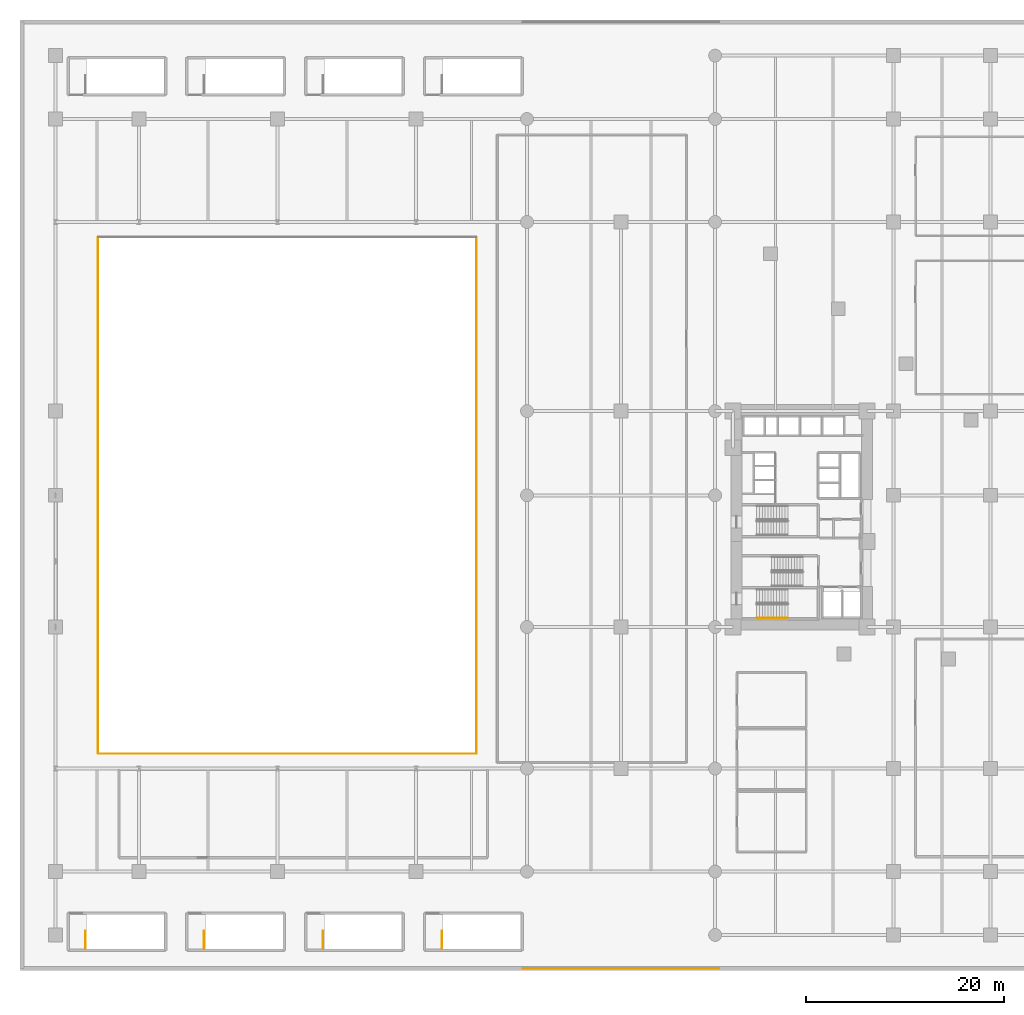
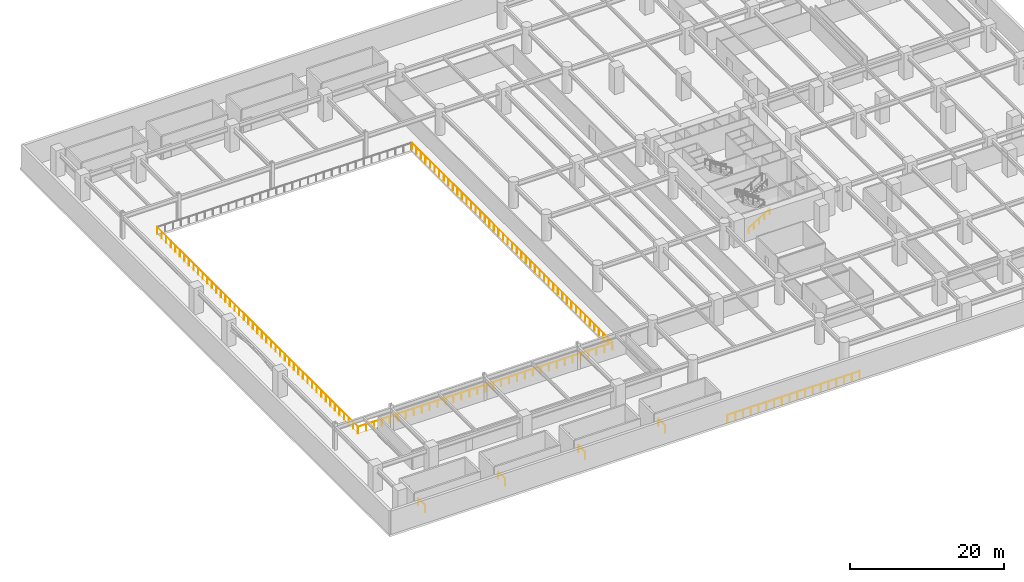
# One storey, part 18 of 20: 9 railings.
"""IFC4 building model written with IfcOpenShell, lengths in metres."""

from ifc_helpers import new_model, si_unit, direction, frame, origin, origin_2d, place, context, subcontext, project, spatial, circle, extrude, material, type_object, element, save


model = new_model("IFC4")

# Units and contexts
model_context = context("Model", 3, precision=1e-05, world=origin(), true_north=direction((0.0, 1.0)))
body_context = subcontext(model_context, "Body", "Model", "MODEL_VIEW")
ifc_project = project(units=[si_unit("LENGTHUNIT", "METRE"), si_unit("AREAUNIT", "SQUARE_METRE"), si_unit("VOLUMEUNIT", "CUBIC_METRE"), si_unit("PLANEANGLEUNIT", "RADIAN"), si_unit("MASSUNIT", "GRAM", prefix="KILO")], contexts=[model_context])

# Site, building, storey
site_placement = place(None, origin())
site = spatial("IfcSite", under=ifc_project, at=site_placement, CompositionType="ELEMENT")
building_placement = place(site_placement, origin())
building = spatial("IfcBuilding", under=site, at=building_placement, Name="Narakoshi Arena Tower", CompositionType="ELEMENT")
storey_placement = place(building_placement, frame((0.0, 0.0, 17.39990234375)))
storey = spatial("IfcBuildingStorey", under=building, at=storey_placement, Name="L04", CompositionType="ELEMENT", Elevation=17.39990234375)

# Railings
ifc_material_1 = material(Name="Clear low-iron laminated structural glass", Category="glass")
railing_type_1 = type_object("IfcRailingType", Name="RL-BAL-1100", PredefinedType="BALUSTRADE", material=ifc_material_1)
for number, where, name in (
    (1, (6.60009765625, 2.199951171875, 0.0), "L04 AST1 top well guard 1"),
    (2, (18.60009765625, 2.199951171875, 0.0), "L04 AST2 top well guard 1"),
    (3, (30.60009765625, 2.199951171875, 0.0), "L04 AST3 top well guard 1"),
    (4, (42.60009765625, 2.199951171875, 0.0), "L04 AST4 top well guard 1"),
):
    element("IfcRailing", number, at=place(storey_placement, frame(where)), inside=storey, type_object=railing_type_1, Name=name, PredefinedType="BALUSTRADE", context=body_context, shape_type="SweptSolid", body=[
        extrude(circle(Radius=0.02392578125, at=origin_2d()), frame((0.0, 0.0, 1.09619140625), z_axis=(0.0, 1.0, 0.0), x_axis=(-1.0, 0.0, 0.0)), (0.0, 0.0, 1.0), 1.800048828125),
        extrude(circle(Radius=0.02099609375, at=origin_2d()), origin(), (0.0, 0.0, 1.0), 1.072021484375),
        extrude(circle(Radius=0.02099609375, at=origin_2d()), frame((0.0, 1.800048828125, 0.0)), (0.0, 0.0, 1.0), 1.072021484375),
    ])
railing_1_placement = place(storey_placement, frame((7.93994140625, 21.89990234375, 0.0)))
element("IfcRailing", 5, at=railing_1_placement, inside=storey, type_object=railing_type_1, Name="L04 Arena Bowl Tier Balustrade 1", PredefinedType="BALUSTRADE", context=body_context, shape_type="SweptSolid", body=[
    extrude(circle(Radius=0.02392578125, at=origin_2d()), frame((0.0, 0.0, 1.09619140625), z_axis=(1.0, 0.0, 0.0), x_axis=(0.0, 1.0, 0.0)), (0.0, 0.0, 1.0), 38.1201171875),
    extrude(circle(Radius=0.02099609375, at=origin_2d()), origin(), (0.0, 0.0, 1.0), 1.072021484375),
    extrude(circle(Radius=0.02099609375, at=origin_2d()), frame((1.191162109375, 0.0, 0.0)), (0.0, 0.0, 1.0), 1.072021484375),
    extrude(circle(Radius=0.02099609375, at=origin_2d()), frame((2.382568359375, 0.0, 0.0)), (0.0, 0.0, 1.0), 1.072021484375),
    extrude(circle(Radius=0.02099609375, at=origin_2d()), frame((3.57373046875, 0.0, 0.0)), (0.0, 0.0, 1.0), 1.072021484375),
    extrude(circle(Radius=0.02099609375, at=origin_2d()), frame((4.76513671875, 0.0, 0.0)), (0.0, 0.0, 1.0), 1.072021484375),
    extrude(circle(Radius=0.02099609375, at=origin_2d()), frame((5.956298828125, 0.0, 0.0)), (0.0, 0.0, 1.0), 1.072021484375),
    extrude(circle(Radius=0.02099609375, at=origin_2d()), frame((7.1474609375, 0.0, 0.0)), (0.0, 0.0, 1.0), 1.072021484375),
    extrude(circle(Radius=0.02099609375, at=origin_2d()), frame((8.3388671875, 0.0, 0.0)), (0.0, 0.0, 1.0), 1.072021484375),
    extrude(circle(Radius=0.02099609375, at=origin_2d()), frame((9.530029296875, 0.0, 0.0)), (0.0, 0.0, 1.0), 1.072021484375),
    extrude(circle(Radius=0.02099609375, at=origin_2d()), frame((10.72119140625, 0.0, 0.0)), (0.0, 0.0, 1.0), 1.072021484375),
    extrude(circle(Radius=0.02099609375, at=origin_2d()), frame((11.91259765625, 0.0, 0.0)), (0.0, 0.0, 1.0), 1.072021484375),
    extrude(circle(Radius=0.02099609375, at=origin_2d()), frame((13.103759765625, 0.0, 0.0)), (0.0, 0.0, 1.0), 1.072021484375),
    extrude(circle(Radius=0.02099609375, at=origin_2d()), frame((14.294921875, 0.0, 0.0)), (0.0, 0.0, 1.0), 1.072021484375),
    extrude(circle(Radius=0.02099609375, at=origin_2d()), frame((15.486328125, 0.0, 0.0)), (0.0, 0.0, 1.0), 1.072021484375),
    extrude(circle(Radius=0.02099609375, at=origin_2d()), frame((16.677490234375, 0.0, 0.0)), (0.0, 0.0, 1.0), 1.072021484375),
    extrude(circle(Radius=0.02099609375, at=origin_2d()), frame((17.868896484375, 0.0, 0.0)), (0.0, 0.0, 1.0), 1.072021484375),
    extrude(circle(Radius=0.02099609375, at=origin_2d()), frame((19.06005859375, 0.0, 0.0)), (0.0, 0.0, 1.0), 1.072021484375),
    extrude(circle(Radius=0.02099609375, at=origin_2d()), frame((20.251220703125, 0.0, 0.0)), (0.0, 0.0, 1.0), 1.072021484375),
    extrude(circle(Radius=0.02099609375, at=origin_2d()), frame((21.442626953125, 0.0, 0.0)), (0.0, 0.0, 1.0), 1.072021484375),
    extrude(circle(Radius=0.02099609375, at=origin_2d()), frame((22.6337890625, 0.0, 0.0)), (0.0, 0.0, 1.0), 1.072021484375),
    extrude(circle(Radius=0.02099609375, at=origin_2d()), frame((23.8251953125, 0.0, 0.0)), (0.0, 0.0, 1.0), 1.072021484375),
    extrude(circle(Radius=0.02099609375, at=origin_2d()), frame((25.016357421875, 0.0, 0.0)), (0.0, 0.0, 1.0), 1.072021484375),
    extrude(circle(Radius=0.02099609375, at=origin_2d()), frame((26.20751953125, 0.0, 0.0)), (0.0, 0.0, 1.0), 1.072021484375),
    extrude(circle(Radius=0.02099609375, at=origin_2d()), frame((27.39892578125, 0.0, 0.0)), (0.0, 0.0, 1.0), 1.072021484375),
    extrude(circle(Radius=0.02099609375, at=origin_2d()), frame((28.590087890625, 0.0, 0.0)), (0.0, 0.0, 1.0), 1.072021484375),
    extrude(circle(Radius=0.02099609375, at=origin_2d()), frame((29.78125, 0.0, 0.0)), (0.0, 0.0, 1.0), 1.072021484375),
    extrude(circle(Radius=0.02099609375, at=origin_2d()), frame((30.97265625, 0.0, 0.0)), (0.0, 0.0, 1.0), 1.072021484375),
    extrude(circle(Radius=0.02099609375, at=origin_2d()), frame((32.163818359375, 0.0, 0.0)), (0.0, 0.0, 1.0), 1.072021484375),
    extrude(circle(Radius=0.02099609375, at=origin_2d()), frame((33.35498046875, 0.0, 0.0)), (0.0, 0.0, 1.0), 1.072021484375),
    extrude(circle(Radius=0.02099609375, at=origin_2d()), frame((34.54638671875, 0.0, 0.0)), (0.0, 0.0, 1.0), 1.072021484375),
    extrude(circle(Radius=0.02099609375, at=origin_2d()), frame((35.737548828125, 0.0, 0.0)), (0.0, 0.0, 1.0), 1.072021484375),
    extrude(circle(Radius=0.02099609375, at=origin_2d()), frame((36.928955078125, 0.0, 0.0)), (0.0, 0.0, 1.0), 1.072021484375),
    extrude(circle(Radius=0.02099609375, at=origin_2d()), frame((38.1201171875, 0.0, 0.0)), (0.0, 0.0, 1.0), 1.072021484375),
])
railing_2_placement = place(storey_placement, frame((46.10009765625, 21.93994140625, 0.0)))
element("IfcRailing", 6, at=railing_2_placement, inside=storey, type_object=railing_type_1, Name="L04 Arena Bowl Tier Balustrade 2", PredefinedType="BALUSTRADE", context=body_context, shape_type="SweptSolid", body=[
    extrude(circle(Radius=0.02392578125, at=origin_2d()), frame((0.0, 0.0, 1.09619140625), z_axis=(0.0, 1.0, 0.0), x_axis=(-1.0, 0.0, 0.0)), (0.0, 0.0, 1.0), 52.1201171875),
    extrude(circle(Radius=0.02099609375, at=origin_2d()), origin(), (0.0, 0.0, 1.0), 1.072021484375),
    extrude(circle(Radius=0.02099609375, at=origin_2d()), frame((0.0, 1.1845703125, 0.0)), (0.0, 0.0, 1.0), 1.072021484375),
    extrude(circle(Radius=0.02099609375, at=origin_2d()), frame((0.0, 2.369140625, 0.0)), (0.0, 0.0, 1.0), 1.072021484375),
    extrude(circle(Radius=0.02099609375, at=origin_2d()), frame((0.0, 3.5537109375, 0.0)), (0.0, 0.0, 1.0), 1.072021484375),
    extrude(circle(Radius=0.02099609375, at=origin_2d()), frame((0.0, 4.73828125, 0.0)), (0.0, 0.0, 1.0), 1.072021484375),
    extrude(circle(Radius=0.02099609375, at=origin_2d()), frame((0.0, 5.9228515625, 0.0)), (0.0, 0.0, 1.0), 1.072021484375),
    extrude(circle(Radius=0.02099609375, at=origin_2d()), frame((0.0, 7.107177734375, 0.0)), (0.0, 0.0, 1.0), 1.072021484375),
    extrude(circle(Radius=0.02099609375, at=origin_2d()), frame((0.0, 8.291748046875, 0.0)), (0.0, 0.0, 1.0), 1.072021484375),
    extrude(circle(Radius=0.02099609375, at=origin_2d()), frame((0.0, 9.476318359375, 0.0)), (0.0, 0.0, 1.0), 1.072021484375),
    extrude(circle(Radius=0.02099609375, at=origin_2d()), frame((0.0, 10.660888671875, 0.0)), (0.0, 0.0, 1.0), 1.072021484375),
    extrude(circle(Radius=0.02099609375, at=origin_2d()), frame((0.0, 11.845458984375, 0.0)), (0.0, 0.0, 1.0), 1.072021484375),
    extrude(circle(Radius=0.02099609375, at=origin_2d()), frame((0.0, 13.030029296875, 0.0)), (0.0, 0.0, 1.0), 1.072021484375),
    extrude(circle(Radius=0.02099609375, at=origin_2d()), frame((0.0, 14.214599609375, 0.0)), (0.0, 0.0, 1.0), 1.072021484375),
    extrude(circle(Radius=0.02099609375, at=origin_2d()), frame((0.0, 15.399169921875, 0.0)), (0.0, 0.0, 1.0), 1.072021484375),
    extrude(circle(Radius=0.02099609375, at=origin_2d()), frame((0.0, 16.583740234375, 0.0)), (0.0, 0.0, 1.0), 1.072021484375),
    extrude(circle(Radius=0.02099609375, at=origin_2d()), frame((0.0, 17.768310546875, 0.0)), (0.0, 0.0, 1.0), 1.072021484375),
    extrude(circle(Radius=0.02099609375, at=origin_2d()), frame((0.0, 18.952880859375, 0.0)), (0.0, 0.0, 1.0), 1.072021484375),
    extrude(circle(Radius=0.02099609375, at=origin_2d()), frame((0.0, 20.13720703125, 0.0)), (0.0, 0.0, 1.0), 1.072021484375),
    extrude(circle(Radius=0.02099609375, at=origin_2d()), frame((0.0, 21.32177734375, 0.0)), (0.0, 0.0, 1.0), 1.072021484375),
    extrude(circle(Radius=0.02099609375, at=origin_2d()), frame((0.0, 22.50634765625, 0.0)), (0.0, 0.0, 1.0), 1.072021484375),
    extrude(circle(Radius=0.02099609375, at=origin_2d()), frame((0.0, 23.69091796875, 0.0)), (0.0, 0.0, 1.0), 1.072021484375),
    extrude(circle(Radius=0.02099609375, at=origin_2d()), frame((0.0, 24.87548828125, 0.0)), (0.0, 0.0, 1.0), 1.072021484375),
    extrude(circle(Radius=0.02099609375, at=origin_2d()), frame((0.0, 26.06005859375, 0.0)), (0.0, 0.0, 1.0), 1.072021484375),
    extrude(circle(Radius=0.02099609375, at=origin_2d()), frame((0.0, 27.24462890625, 0.0)), (0.0, 0.0, 1.0), 1.072021484375),
    extrude(circle(Radius=0.02099609375, at=origin_2d()), frame((0.0, 28.42919921875, 0.0)), (0.0, 0.0, 1.0), 1.072021484375),
    extrude(circle(Radius=0.02099609375, at=origin_2d()), frame((0.0, 29.61376953125, 0.0)), (0.0, 0.0, 1.0), 1.072021484375),
    extrude(circle(Radius=0.02099609375, at=origin_2d()), frame((0.0, 30.79833984375, 0.0)), (0.0, 0.0, 1.0), 1.072021484375),
    extrude(circle(Radius=0.02099609375, at=origin_2d()), frame((0.0, 31.98291015625, 0.0)), (0.0, 0.0, 1.0), 1.072021484375),
    extrude(circle(Radius=0.02099609375, at=origin_2d()), frame((0.0, 33.167236328125, 0.0)), (0.0, 0.0, 1.0), 1.072021484375),
    extrude(circle(Radius=0.02099609375, at=origin_2d()), frame((0.0, 34.351806640625, 0.0)), (0.0, 0.0, 1.0), 1.072021484375),
    extrude(circle(Radius=0.02099609375, at=origin_2d()), frame((0.0, 35.536376953125, 0.0)), (0.0, 0.0, 1.0), 1.072021484375),
    extrude(circle(Radius=0.02099609375, at=origin_2d()), frame((0.0, 36.720947265625, 0.0)), (0.0, 0.0, 1.0), 1.072021484375),
    extrude(circle(Radius=0.02099609375, at=origin_2d()), frame((0.0, 37.905517578125, 0.0)), (0.0, 0.0, 1.0), 1.072021484375),
    extrude(circle(Radius=0.02099609375, at=origin_2d()), frame((0.0, 39.090087890625, 0.0)), (0.0, 0.0, 1.0), 1.072021484375),
    extrude(circle(Radius=0.02099609375, at=origin_2d()), frame((0.0, 40.274658203125, 0.0)), (0.0, 0.0, 1.0), 1.072021484375),
    extrude(circle(Radius=0.02099609375, at=origin_2d()), frame((0.0, 41.459228515625, 0.0)), (0.0, 0.0, 1.0), 1.072021484375),
    extrude(circle(Radius=0.02099609375, at=origin_2d()), frame((0.0, 42.643798828125, 0.0)), (0.0, 0.0, 1.0), 1.072021484375),
    extrude(circle(Radius=0.02099609375, at=origin_2d()), frame((0.0, 43.828369140625, 0.0)), (0.0, 0.0, 1.0), 1.072021484375),
    extrude(circle(Radius=0.02099609375, at=origin_2d()), frame((0.0, 45.012939453125, 0.0)), (0.0, 0.0, 1.0), 1.072021484375),
    extrude(circle(Radius=0.02099609375, at=origin_2d()), frame((0.0, 46.197265625, 0.0)), (0.0, 0.0, 1.0), 1.072021484375),
    extrude(circle(Radius=0.02099609375, at=origin_2d()), frame((0.0, 47.3818359375, 0.0)), (0.0, 0.0, 1.0), 1.072021484375),
    extrude(circle(Radius=0.02099609375, at=origin_2d()), frame((0.0, 48.56640625, 0.0)), (0.0, 0.0, 1.0), 1.072021484375),
    extrude(circle(Radius=0.02099609375, at=origin_2d()), frame((0.0, 49.7509765625, 0.0)), (0.0, 0.0, 1.0), 1.072021484375),
    extrude(circle(Radius=0.02099609375, at=origin_2d()), frame((0.0, 50.935546875, 0.0)), (0.0, 0.0, 1.0), 1.072021484375),
    extrude(circle(Radius=0.02099609375, at=origin_2d()), frame((0.0, 52.1201171875, 0.0)), (0.0, 0.0, 1.0), 1.072021484375),
])
railing_3_placement = place(storey_placement, frame((7.89990234375, 74.06005859375, 0.0)))
element("IfcRailing", 7, at=railing_3_placement, inside=storey, type_object=railing_type_1, Name="L04 Arena Bowl Tier Balustrade 4", PredefinedType="BALUSTRADE", context=body_context, shape_type="SweptSolid", body=[
    extrude(circle(Radius=0.02392578125, at=origin_2d()), frame((0.0, 0.0, 1.09619140625), z_axis=(0.0, -1.0, 0.0), x_axis=(1.0, 0.0, 0.0)), (0.0, 0.0, 1.0), 52.1201171875),
    extrude(circle(Radius=0.02099609375, at=origin_2d()), origin(), (0.0, 0.0, 1.0), 1.072021484375),
    extrude(circle(Radius=0.02099609375, at=origin_2d()), frame((0.0, -1.1845703125, 0.0)), (0.0, 0.0, 1.0), 1.072021484375),
    extrude(circle(Radius=0.02099609375, at=origin_2d()), frame((0.0, -2.369140625, 0.0)), (0.0, 0.0, 1.0), 1.072021484375),
    extrude(circle(Radius=0.02099609375, at=origin_2d()), frame((0.0, -3.5537109375, 0.0)), (0.0, 0.0, 1.0), 1.072021484375),
    extrude(circle(Radius=0.02099609375, at=origin_2d()), frame((0.0, -4.73828125, 0.0)), (0.0, 0.0, 1.0), 1.072021484375),
    extrude(circle(Radius=0.02099609375, at=origin_2d()), frame((0.0, -5.9228515625, 0.0)), (0.0, 0.0, 1.0), 1.072021484375),
    extrude(circle(Radius=0.02099609375, at=origin_2d()), frame((0.0, -7.107177734375, 0.0)), (0.0, 0.0, 1.0), 1.072021484375),
    extrude(circle(Radius=0.02099609375, at=origin_2d()), frame((0.0, -8.291748046875, 0.0)), (0.0, 0.0, 1.0), 1.072021484375),
    extrude(circle(Radius=0.02099609375, at=origin_2d()), frame((0.0, -9.476318359375, 0.0)), (0.0, 0.0, 1.0), 1.072021484375),
    extrude(circle(Radius=0.02099609375, at=origin_2d()), frame((0.0, -10.660888671875, 0.0)), (0.0, 0.0, 1.0), 1.072021484375),
    extrude(circle(Radius=0.02099609375, at=origin_2d()), frame((0.0, -11.845458984375, 0.0)), (0.0, 0.0, 1.0), 1.072021484375),
    extrude(circle(Radius=0.02099609375, at=origin_2d()), frame((0.0, -13.030029296875, 0.0)), (0.0, 0.0, 1.0), 1.072021484375),
    extrude(circle(Radius=0.02099609375, at=origin_2d()), frame((0.0, -14.214599609375, 0.0)), (0.0, 0.0, 1.0), 1.072021484375),
    extrude(circle(Radius=0.02099609375, at=origin_2d()), frame((0.0, -15.399169921875, 0.0)), (0.0, 0.0, 1.0), 1.072021484375),
    extrude(circle(Radius=0.02099609375, at=origin_2d()), frame((0.0, -16.583740234375, 0.0)), (0.0, 0.0, 1.0), 1.072021484375),
    extrude(circle(Radius=0.02099609375, at=origin_2d()), frame((0.0, -17.768310546875, 0.0)), (0.0, 0.0, 1.0), 1.072021484375),
    extrude(circle(Radius=0.02099609375, at=origin_2d()), frame((0.0, -18.952880859375, 0.0)), (0.0, 0.0, 1.0), 1.072021484375),
    extrude(circle(Radius=0.02099609375, at=origin_2d()), frame((0.0, -20.13720703125, 0.0)), (0.0, 0.0, 1.0), 1.072021484375),
    extrude(circle(Radius=0.02099609375, at=origin_2d()), frame((0.0, -21.32177734375, 0.0)), (0.0, 0.0, 1.0), 1.072021484375),
    extrude(circle(Radius=0.02099609375, at=origin_2d()), frame((0.0, -22.50634765625, 0.0)), (0.0, 0.0, 1.0), 1.072021484375),
    extrude(circle(Radius=0.02099609375, at=origin_2d()), frame((0.0, -23.69091796875, 0.0)), (0.0, 0.0, 1.0), 1.072021484375),
    extrude(circle(Radius=0.02099609375, at=origin_2d()), frame((0.0, -24.87548828125, 0.0)), (0.0, 0.0, 1.0), 1.072021484375),
    extrude(circle(Radius=0.02099609375, at=origin_2d()), frame((0.0, -26.06005859375, 0.0)), (0.0, 0.0, 1.0), 1.072021484375),
    extrude(circle(Radius=0.02099609375, at=origin_2d()), frame((0.0, -27.24462890625, 0.0)), (0.0, 0.0, 1.0), 1.072021484375),
    extrude(circle(Radius=0.02099609375, at=origin_2d()), frame((0.0, -28.42919921875, 0.0)), (0.0, 0.0, 1.0), 1.072021484375),
    extrude(circle(Radius=0.02099609375, at=origin_2d()), frame((0.0, -29.61376953125, 0.0)), (0.0, 0.0, 1.0), 1.072021484375),
    extrude(circle(Radius=0.02099609375, at=origin_2d()), frame((0.0, -30.79833984375, 0.0)), (0.0, 0.0, 1.0), 1.072021484375),
    extrude(circle(Radius=0.02099609375, at=origin_2d()), frame((0.0, -31.98291015625, 0.0)), (0.0, 0.0, 1.0), 1.072021484375),
    extrude(circle(Radius=0.02099609375, at=origin_2d()), frame((0.0, -33.167236328125, 0.0)), (0.0, 0.0, 1.0), 1.072021484375),
    extrude(circle(Radius=0.02099609375, at=origin_2d()), frame((0.0, -34.351806640625, 0.0)), (0.0, 0.0, 1.0), 1.072021484375),
    extrude(circle(Radius=0.02099609375, at=origin_2d()), frame((0.0, -35.536376953125, 0.0)), (0.0, 0.0, 1.0), 1.072021484375),
    extrude(circle(Radius=0.02099609375, at=origin_2d()), frame((0.0, -36.720947265625, 0.0)), (0.0, 0.0, 1.0), 1.072021484375),
    extrude(circle(Radius=0.02099609375, at=origin_2d()), frame((0.0, -37.905517578125, 0.0)), (0.0, 0.0, 1.0), 1.072021484375),
    extrude(circle(Radius=0.02099609375, at=origin_2d()), frame((0.0, -39.090087890625, 0.0)), (0.0, 0.0, 1.0), 1.072021484375),
    extrude(circle(Radius=0.02099609375, at=origin_2d()), frame((0.0, -40.274658203125, 0.0)), (0.0, 0.0, 1.0), 1.072021484375),
    extrude(circle(Radius=0.02099609375, at=origin_2d()), frame((0.0, -41.459228515625, 0.0)), (0.0, 0.0, 1.0), 1.072021484375),
    extrude(circle(Radius=0.02099609375, at=origin_2d()), frame((0.0, -42.643798828125, 0.0)), (0.0, 0.0, 1.0), 1.072021484375),
    extrude(circle(Radius=0.02099609375, at=origin_2d()), frame((0.0, -43.828369140625, 0.0)), (0.0, 0.0, 1.0), 1.072021484375),
    extrude(circle(Radius=0.02099609375, at=origin_2d()), frame((0.0, -45.012939453125, 0.0)), (0.0, 0.0, 1.0), 1.072021484375),
    extrude(circle(Radius=0.02099609375, at=origin_2d()), frame((0.0, -46.197265625, 0.0)), (0.0, 0.0, 1.0), 1.072021484375),
    extrude(circle(Radius=0.02099609375, at=origin_2d()), frame((0.0, -47.3818359375, 0.0)), (0.0, 0.0, 1.0), 1.072021484375),
    extrude(circle(Radius=0.02099609375, at=origin_2d()), frame((0.0, -48.56640625, 0.0)), (0.0, 0.0, 1.0), 1.072021484375),
    extrude(circle(Radius=0.02099609375, at=origin_2d()), frame((0.0, -49.7509765625, 0.0)), (0.0, 0.0, 1.0), 1.072021484375),
    extrude(circle(Radius=0.02099609375, at=origin_2d()), frame((0.0, -50.935546875, 0.0)), (0.0, 0.0, 1.0), 1.072021484375),
    extrude(circle(Radius=0.02099609375, at=origin_2d()), frame((0.0, -52.1201171875, 0.0)), (0.0, 0.0, 1.0), 1.072021484375),
])
ifc_material_2 = material(Name="Brushed bronze stainless steel", Category="steel")
railing_type_2 = type_object("IfcRailingType", Name="RL-GRD-1150", PredefinedType="GUARDRAIL", material=ifc_material_2)
railing_4_placement = place(storey_placement, frame((50.800048828125, 0.219970703125, 0.0)))
element("IfcRailing", 8, at=railing_4_placement, inside=storey, type_object=railing_type_2, Name="L04 Concourse Portal Sill Guardrail PS", PredefinedType="GUARDRAIL", context=body_context, shape_type="SweptSolid", body=[
    extrude(circle(Radius=0.02392578125, at=origin_2d()), frame((0.0, 0.0, 1.1259765625), z_axis=(1.0, 0.0, 0.0), x_axis=(0.0, 1.0, 0.0)), (0.0, 0.0, 1.0), 19.800048828125),
    extrude(circle(Radius=0.02099609375, at=origin_2d()), origin(), (0.0, 0.0, 1.0), 1.101806640625),
    extrude(circle(Radius=0.02099609375, at=origin_2d()), frame((1.164794921875, 0.0, 0.0)), (0.0, 0.0, 1.0), 1.101806640625),
    extrude(circle(Radius=0.02099609375, at=origin_2d()), frame((2.329345703125, 0.0, 0.0)), (0.0, 0.0, 1.0), 1.101806640625),
    extrude(circle(Radius=0.02099609375, at=origin_2d()), frame((3.494140625, 0.0, 0.0)), (0.0, 0.0, 1.0), 1.101806640625),
    extrude(circle(Radius=0.02099609375, at=origin_2d()), frame((4.658935546875, 0.0, 0.0)), (0.0, 0.0, 1.0), 1.101806640625),
    extrude(circle(Radius=0.02099609375, at=origin_2d()), frame((5.823486328125, 0.0, 0.0)), (0.0, 0.0, 1.0), 1.101806640625),
    extrude(circle(Radius=0.02099609375, at=origin_2d()), frame((6.98828125, 0.0, 0.0)), (0.0, 0.0, 1.0), 1.101806640625),
    extrude(circle(Radius=0.02099609375, at=origin_2d()), frame((8.153076171875, 0.0, 0.0)), (0.0, 0.0, 1.0), 1.101806640625),
    extrude(circle(Radius=0.02099609375, at=origin_2d()), frame((9.317626953125, 0.0, 0.0)), (0.0, 0.0, 1.0), 1.101806640625),
    extrude(circle(Radius=0.02099609375, at=origin_2d()), frame((10.482421875, 0.0, 0.0)), (0.0, 0.0, 1.0), 1.101806640625),
    extrude(circle(Radius=0.02099609375, at=origin_2d()), frame((11.64697265625, 0.0, 0.0)), (0.0, 0.0, 1.0), 1.101806640625),
    extrude(circle(Radius=0.02099609375, at=origin_2d()), frame((12.811767578125, 0.0, 0.0)), (0.0, 0.0, 1.0), 1.101806640625),
    extrude(circle(Radius=0.02099609375, at=origin_2d()), frame((13.9765625, 0.0, 0.0)), (0.0, 0.0, 1.0), 1.101806640625),
    extrude(circle(Radius=0.02099609375, at=origin_2d()), frame((15.14111328125, 0.0, 0.0)), (0.0, 0.0, 1.0), 1.101806640625),
    extrude(circle(Radius=0.02099609375, at=origin_2d()), frame((16.305908203125, 0.0, 0.0)), (0.0, 0.0, 1.0), 1.101806640625),
    extrude(circle(Radius=0.02099609375, at=origin_2d()), frame((17.470703125, 0.0, 0.0)), (0.0, 0.0, 1.0), 1.101806640625),
    extrude(circle(Radius=0.02099609375, at=origin_2d()), frame((18.63525390625, 0.0, 0.0)), (0.0, 0.0, 1.0), 1.101806640625),
    extrude(circle(Radius=0.02099609375, at=origin_2d()), frame((19.800048828125, 0.0, 0.0)), (0.0, 0.0, 1.0), 1.101806640625),
])
railing_type_3 = type_object("IfcRailingType", Name="RL-HND-900", PredefinedType="HANDRAIL", material=ifc_material_2)
railing_5_placement = place(storey_placement, frame((74.39990234375, 35.60009765625, 0.175048828125)))
element("IfcRailing", 9, at=railing_5_placement, inside=storey, type_object=railing_type_3, Name="L04 ST1 stair handrail 1", PredefinedType="HANDRAIL", context=body_context, shape_type="SweptSolid", body=[
    extrude(circle(Radius=0.02392578125, at=origin_2d()), frame((0.0, 0.0, 0.8759765625), z_axis=(0.852166034122, 0.0, 0.523271488128), x_axis=(0.0, 1.0, 0.0)), (0.0, 0.0, 1.0), 3.678955078125),
    extrude(circle(Radius=0.02099609375, at=origin_2d()), origin(), (0.0, 0.0, 1.0), 0.851806640625),
    extrude(circle(Radius=0.02099609375, at=origin_2d()), frame((0.78369140625, 0.0, 0.481201171875)), (0.0, 0.0, 1.0), 0.851806640625),
    extrude(circle(Radius=0.02099609375, at=origin_2d()), frame((1.5673828125, 0.0, 0.96240234375)), (0.0, 0.0, 1.0), 0.851806640625),
    extrude(circle(Radius=0.02099609375, at=origin_2d()), frame((2.351318359375, 0.0, 1.44384765625)), (0.0, 0.0, 1.0), 0.851806640625),
    extrude(circle(Radius=0.02099609375, at=origin_2d()), frame((3.135009765625, 0.0, 1.925048828125)), (0.0, 0.0, 1.0), 0.851806640625),
])

save(model, "model.ifc")
